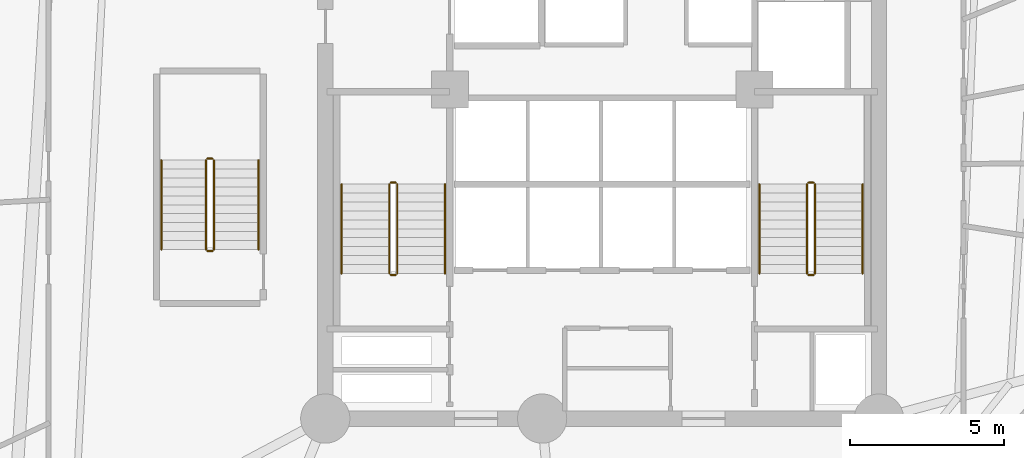
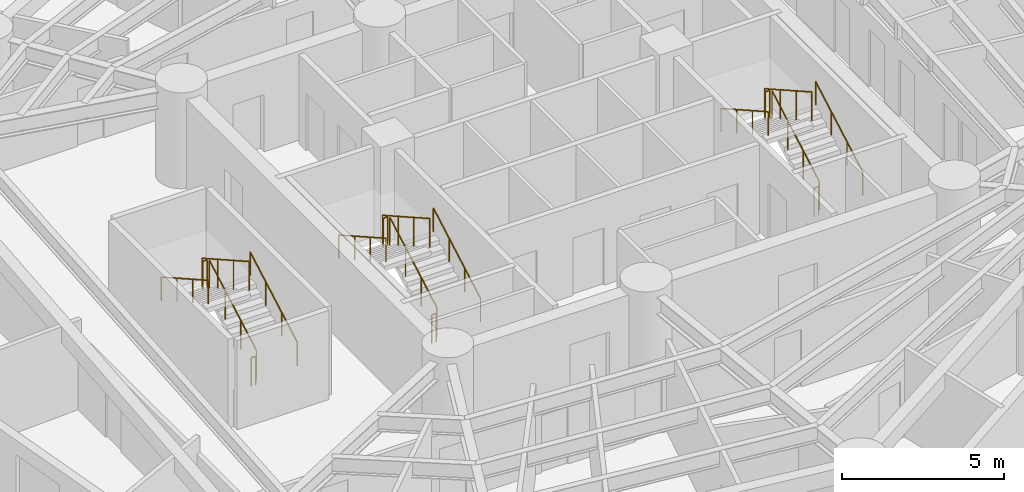
# One storey, part 8 of 8: 18 railings.
"""IFC4 building model written with IfcOpenShell, lengths in metres."""

import ifcopenshell
import ifcopenshell.guid

model = None  # the IFC model being written
_history = None  # IfcOwnerHistory: only IFC2X3 demands one
_inside = {}  # id of a spatial element -> (the spatial element, [elements in it])
_under = {}  # id of a project, library or spatial element -> (it, [spatial elements below it])
_declared = {}  # id of a project -> (the project, [libraries it declares])
_typed = {}  # id of a type object -> (the type object, [elements of that type])
_made_of = {}  # id of a material, layer set ... -> (it, [elements and type objects made of it])


def new_model(schema):
    """Start an empty IFC model of exactly this schema.

    Asked for "IFC4X3", IfcOpenShell would pick the latest addendum, in which some entities
    have other attributes; the version numbers below select the first issue.
    IFC2X3 requires an IfcOwnerHistory on every rooted entity: one is made here for all.
    """
    global model, _history
    if schema == "IFC4X3":
        model = ifcopenshell.file(schema_version=(4, 3, 0, 0))
    else:
        model = ifcopenshell.file(schema=schema)
    _inside.clear()
    _under.clear()
    _declared.clear()
    _typed.clear()
    _made_of.clear()
    _history = None
    if model.schema == "IFC2X3":
        org = make("IfcOrganization", Name="unknown")
        user = make(
            "IfcPersonAndOrganization",
            ThePerson=make("IfcPerson", FamilyName="unknown"),
            TheOrganization=org,
        )
        app = make(
            "IfcApplication",
            ApplicationDeveloper=org,
            Version="unknown",
            ApplicationFullName="unknown",
            ApplicationIdentifier="unknown",
        )
        _history = make(
            "IfcOwnerHistory",
            OwningUser=user,
            OwningApplication=app,
            ChangeAction="ADDED",
            CreationDate=0,
        )
    return model


def make(cls, **values):
    """One entity of the class cls with the attributes given. An attribute that is None is left unset."""
    return model.create_entity(
        cls, **{name: value for name, value in values.items() if value is not None}
    )


def rooted(cls, **values):
    """An entity with a GlobalId (a new one), such as an element, a storey or a relation."""
    return make(cls, GlobalId=ifcopenshell.guid.new(), OwnerHistory=_history, **values)


def si_unit(unit_type, name, prefix=None):
    """IfcSIUnit, for example si_unit("LENGTHUNIT", "METRE", prefix="MILLI")."""
    return make("IfcSIUnit", UnitType=unit_type, Prefix=prefix, Name=name)


def assignment(units):
    """IfcUnitAssignment: the units of a project."""
    return None if units is None else make("IfcUnitAssignment", Units=units)


def point(xyz):
    """IfcCartesianPoint."""
    return None if xyz is None else make("IfcCartesianPoint", Coordinates=xyz)


def direction(xyz):
    """IfcDirection."""
    return None if xyz is None else make("IfcDirection", DirectionRatios=xyz)


def frame(location, z_axis=None, x_axis=None):
    """IfcAxis2Placement3D, a coordinate frame: its origin and axes. An axis left out is left unset."""
    return make(
        "IfcAxis2Placement3D",
        Location=point(location),
        Axis=direction(z_axis),
        RefDirection=direction(x_axis),
    )


def frame_2d(location, x_axis=None):
    """IfcAxis2Placement2D, a coordinate frame in the plane: its origin and x axis."""
    return make(
        "IfcAxis2Placement2D", Location=point(location), RefDirection=direction(x_axis)
    )


def origin():
    """The frame at (0, 0, 0) with its axes left unset."""
    return frame((0.0, 0.0, 0.0))


def origin_2d():
    """The frame at (0, 0) in the plane with its x axis left unset."""
    return frame_2d((0.0, 0.0))


def place(relative_to, where):
    """IfcLocalPlacement: puts the frame where relative to a parent placement (None: the world)."""
    return make(
        "IfcLocalPlacement", PlacementRelTo=relative_to, RelativePlacement=where
    )


def context(
    kind, dimensions, precision=None, world=None, true_north=None, identifier=None
):
    """IfcGeometricRepresentationContext, for example the 3D "Model" context."""
    return make(
        "IfcGeometricRepresentationContext",
        ContextIdentifier=identifier,
        ContextType=kind,
        CoordinateSpaceDimension=dimensions,
        Precision=precision,
        WorldCoordinateSystem=world,
        TrueNorth=true_north,
    )


def subcontext(parent, identifier, kind, view, scale=None):
    """IfcGeometricRepresentationSubContext, for example "Body" below "Model"."""
    return make(
        "IfcGeometricRepresentationSubContext",
        ContextIdentifier=identifier,
        ContextType=kind,
        ParentContext=parent,
        TargetScale=scale,
        TargetView=view,
    )


def project(units=None, contexts=None):
    """IfcProject with its units and contexts."""
    return rooted(
        "IfcProject",
        Name="project",
        RepresentationContexts=contexts,
        UnitsInContext=assignment(units),
    )


def spatial(cls, under=None, at=None, **own):
    """A site, building, storey or space (cls), placed at a placement, below another one or the project."""
    s = rooted(cls, ObjectPlacement=at, **own)
    if under is not None:
        _under.setdefault(under.id(), (under, []))[1].append(s)
    return s


def profile(cls, at=None, kind="AREA", **sizes):
    """A parametric profile (cls). Its sizes go by their IFC names, for example OverallWidth=200.0."""
    return make(cls, ProfileType=kind, Position=at, **sizes)


def circle(**sizes):
    """IfcCircleProfileDef."""
    return profile("IfcCircleProfileDef", **sizes)


def extrude(swept, where, along, depth):
    """IfcExtrudedAreaSolid: the profile swept, set in the frame where, extruded along a direction by depth."""
    return make(
        "IfcExtrudedAreaSolid",
        SweptArea=swept,
        Position=where,
        ExtrudedDirection=direction(along),
        Depth=depth,
    )


def shape(context_of_items, identifier, shape_type, items):
    """IfcShapeRepresentation: the items that make up one representation, for example the "Body"."""
    return make(
        "IfcShapeRepresentation",
        ContextOfItems=context_of_items,
        RepresentationIdentifier=identifier,
        RepresentationType=shape_type,
        Items=items,
    )


def material(Name=None, Category=None):
    """IfcMaterial."""
    return make("IfcMaterial", Name=Name, Category=Category)


def layer(
    of_material, thickness, ventilated=None, Name=None, Category=None, Priority=None
):
    """IfcMaterialLayer: one layer of a wall or slab, of a material (None: an air gap)."""
    return make(
        "IfcMaterialLayer",
        Material=of_material,
        LayerThickness=thickness,
        IsVentilated=ventilated,
        Name=Name,
        Category=Category,
        Priority=Priority,
    )


def layer_set(layers, Name=None):
    """IfcMaterialLayerSet."""
    return make("IfcMaterialLayerSet", MaterialLayers=layers, LayerSetName=Name)


def made_of(thing, what):
    """Note that an element or type object is made of a material, layer set ...; save() writes the relation."""
    if what is not None:
        _made_of.setdefault(what.id(), (what, []))[1].append(thing)
    return thing


def type_object(cls, material=None, **own):
    """A type object (cls), such as IfcWallType, which elements share."""
    return made_of(rooted(cls, **own), material)


def element(
    cls,
    number,
    at=None,
    inside=None,
    cuts=None,
    type_object=None,
    material=None,
    context=None,
    identifier="Body",
    shape_type=None,
    held_by="IfcProductDefinitionShape",
    body=None,
    shapes=None,
    **own,
):
    """One element of the class cls, such as IfcWall. Its Tag is "e" and its number.

    at: its placement. inside: the storey or other place that contains it. cuts: it is an
    opening in that element (IfcRelVoidsElement). A single representation is given by context,
    identifier, shape_type and body (its items); several are given by shapes. held_by: the class
    of the entity that holds the representations. save() writes the other relations.
    """
    e = rooted(cls, Tag="e%d" % number, ObjectPlacement=at, **own)
    if body is not None:
        shapes = [shape(context, identifier, shape_type, body)]
    if shapes is not None:
        e.Representation = make(held_by, Representations=shapes)
    if inside is not None:
        _inside.setdefault(inside.id(), (inside, []))[1].append(e)
    if cuts is not None:
        rooted(
            "IfcRelVoidsElement", RelatingBuildingElement=cuts, RelatedOpeningElement=e
        )
    if type_object is not None:
        _typed.setdefault(type_object.id(), (type_object, []))[1].append(e)
    return made_of(e, material)


def aggregate(whole, parts):
    """IfcRelAggregates: a whole, such as a stair, and the parts it consists of."""
    return rooted("IfcRelAggregates", RelatingObject=whole, RelatedObjects=parts)


def save(model, path):
    """Write the relations noted so far, then the file.

    IfcRelAggregates (storeys below a building ...), IfcRelContainedInSpatialStructure (elements
    in a storey), IfcRelDefinesByType, IfcRelAssociatesMaterial and IfcRelDeclares: one each for
    every whole, place, type object, material and project.
    """
    for whole, parts in _under.values():
        aggregate(whole, parts)
    for where, things in _inside.values():
        rooted(
            "IfcRelContainedInSpatialStructure",
            RelatedElements=things,
            RelatingStructure=where,
        )
    for kind, things in _typed.values():
        rooted("IfcRelDefinesByType", RelatedObjects=things, RelatingType=kind)
    for what, things in _made_of.values():
        rooted("IfcRelAssociatesMaterial", RelatedObjects=things, RelatingMaterial=what)
    for by, libraries in _declared.values():
        rooted("IfcRelDeclares", RelatingContext=by, RelatedDefinitions=libraries)
    model.write(path)


model = new_model("IFC4")

# Units and contexts
model_context = context("Model", 3, precision=1e-05, world=origin(), true_north=direction((0.0, 1.0)))
body_context = subcontext(model_context, "Body", "Model", "MODEL_VIEW")
ifc_project = project(units=[si_unit("LENGTHUNIT", "METRE"), si_unit("AREAUNIT", "SQUARE_METRE"), si_unit("VOLUMEUNIT", "CUBIC_METRE"), si_unit("PLANEANGLEUNIT", "RADIAN"), si_unit("MASSUNIT", "GRAM", prefix="KILO")], contexts=[model_context])

# Site, building, storey
site_placement = place(None, origin())
site = spatial("IfcSite", under=ifc_project, at=site_placement, CompositionType="ELEMENT")
building_placement = place(site_placement, origin())
building = spatial("IfcBuilding", under=site, at=building_placement, Name="Karkom Vertical University and Central Library", CompositionType="ELEMENT")
storey_placement = place(building_placement, frame((0.0, 0.0, 73.300048828125)))
storey = spatial("IfcBuildingStorey", under=building, at=storey_placement, Name="L19", CompositionType="ELEMENT", Elevation=73.300048828125)

# Railings
ifc_material_1 = material(Name="Painted galvanised steel balustrade", Category="steel")
ifc_layer_1 = layer(ifc_material_1, 0.06005859375)
ifc_layer_set_1 = layer_set([ifc_layer_1], Name="Painted galvanised steel balustrade")
railing_type_1 = type_object("IfcRailingType", Name="INT-RL-GUARD1100", PredefinedType="GUARDRAIL", material=ifc_layer_set_1)
railing_1_placement = place(storey_placement, frame((21.840087890625, 23.02001953125, 0.16357421875)))
element("IfcRailing", 1, at=railing_1_placement, inside=storey, type_object=railing_type_1, Name="Level 19 ST-1 stair guard 1", PredefinedType="GUARDRAIL", context=body_context, shape_type="SweptSolid", body=[
    extrude(circle(Radius=0.02392578125, at=origin_2d()), frame((0.0, 0.0, 1.076171875), z_axis=(0.0, 0.870897200241, 0.491465224214), x_axis=(-1.0, 0.0, 0.0)), (0.0, 0.0, 1.0), 3.329833984375),
    extrude(circle(Radius=0.02099609375, at=origin_2d()), origin(), (0.0, 0.0, 1.0), 1.052001953125),
    extrude(circle(Radius=0.02099609375, at=origin_2d()), frame((0.0, 0.966552734375, 0.54541015625)), (0.0, 0.0, 1.0), 1.052001953125),
    extrude(circle(Radius=0.02099609375, at=origin_2d()), frame((0.0, 1.933349609375, 1.091064453125)), (0.0, 0.0, 1.0), 1.052001953125),
    extrude(circle(Radius=0.02099609375, at=origin_2d()), frame((0.0, 2.89990234375, 1.636474609375)), (0.0, 0.0, 1.0), 1.052001953125),
])
railing_2_placement = place(storey_placement, frame((21.7900390625, 25.969970703125, 1.800048828125)))
element("IfcRailing", 2, at=railing_2_placement, inside=storey, type_object=railing_type_1, Name="Level 19 ST-1 stair guard 2", PredefinedType="GUARDRAIL", context=body_context, shape_type="SweptSolid", body=[
    extrude(circle(Radius=0.02392578125, at=origin_2d()), frame((0.0, 0.0, 1.076171875), z_axis=(-1.0, 0.0, 0.0), x_axis=(0.0, -1.0, 0.0)), (0.0, 0.0, 1.0), 0.16015625),
    extrude(circle(Radius=0.02099609375, at=origin_2d()), origin(), (0.0, 0.0, 1.0), 1.052001953125),
    extrude(circle(Radius=0.02099609375, at=origin_2d()), frame((-0.16015625, 0.0, 0.0)), (0.0, 0.0, 1.0), 1.052001953125),
])
railing_3_placement = place(storey_placement, frame((21.580078125, 25.919921875, 1.963623046875)))
element("IfcRailing", 3, at=railing_3_placement, inside=storey, type_object=railing_type_1, Name="Level 19 ST-1 stair guard 3", PredefinedType="GUARDRAIL", context=body_context, shape_type="SweptSolid", body=[
    extrude(circle(Radius=0.02392578125, at=origin_2d()), frame((0.0, 0.0, 1.076171875), z_axis=(0.0, -0.870928581787, 0.491409610636), x_axis=(1.0, 0.0, 0.0)), (0.0, 0.0, 1.0), 3.32958984375),
    extrude(circle(Radius=0.02099609375, at=origin_2d()), origin(), (0.0, 0.0, 1.0), 1.052001953125),
    extrude(circle(Radius=0.02099609375, at=origin_2d()), frame((0.0, -0.966552734375, 0.54541015625)), (0.0, 0.0, 1.0), 1.052001953125),
    extrude(circle(Radius=0.02099609375, at=origin_2d()), frame((0.0, -1.933349609375, 1.0908203125)), (0.0, 0.0, 1.0), 1.052001953125),
    extrude(circle(Radius=0.02099609375, at=origin_2d()), frame((0.0, -2.89990234375, 1.63623046875)), (0.0, 0.0, 1.0), 1.052001953125),
])
railing_4_placement = place(storey_placement, frame((21.7900390625, 22.969970703125, 0.0)))
element("IfcRailing", 4, at=railing_4_placement, inside=storey, type_object=railing_type_1, Name="Level 19 ST-1 stair guard 4", PredefinedType="GUARDRAIL", context=body_context, shape_type="SweptSolid", body=[
    extrude(circle(Radius=0.02392578125, at=origin_2d()), frame((0.0, 0.0, 1.076171875), z_axis=(-1.0, 0.0, 0.0), x_axis=(0.0, -1.0, 0.0)), (0.0, 0.0, 1.0), 0.16015625),
    extrude(circle(Radius=0.02099609375, at=origin_2d()), origin(), (0.0, 0.0, 1.0), 1.052001953125),
    extrude(circle(Radius=0.02099609375, at=origin_2d()), frame((-0.16015625, 0.0, 0.0)), (0.0, 0.0, 1.0), 1.052001953125),
])
railing_5_placement = place(storey_placement, frame((35.419921875, 23.02001953125, 0.16357421875)))
element("IfcRailing", 5, at=railing_5_placement, inside=storey, type_object=railing_type_1, Name="Level 19 ST-2 stair guard 1", PredefinedType="GUARDRAIL", context=body_context, shape_type="SweptSolid", body=[
    extrude(circle(Radius=0.02392578125, at=origin_2d()), frame((0.0, 0.0, 1.076171875), z_axis=(0.0, 0.870897200241, 0.491465224214), x_axis=(-1.0, 0.0, 0.0)), (0.0, 0.0, 1.0), 3.329833984375),
    extrude(circle(Radius=0.02099609375, at=origin_2d()), origin(), (0.0, 0.0, 1.0), 1.052001953125),
    extrude(circle(Radius=0.02099609375, at=origin_2d()), frame((0.0, 0.966552734375, 0.54541015625)), (0.0, 0.0, 1.0), 1.052001953125),
    extrude(circle(Radius=0.02099609375, at=origin_2d()), frame((0.0, 1.933349609375, 1.091064453125)), (0.0, 0.0, 1.0), 1.052001953125),
    extrude(circle(Radius=0.02099609375, at=origin_2d()), frame((0.0, 2.89990234375, 1.636474609375)), (0.0, 0.0, 1.0), 1.052001953125),
])
railing_6_placement = place(storey_placement, frame((35.3701171875, 25.969970703125, 1.800048828125)))
element("IfcRailing", 6, at=railing_6_placement, inside=storey, type_object=railing_type_1, Name="Level 19 ST-2 stair guard 2", PredefinedType="GUARDRAIL", context=body_context, shape_type="SweptSolid", body=[
    extrude(circle(Radius=0.02392578125, at=origin_2d()), frame((0.0, 0.0, 1.076171875), z_axis=(-1.0, 0.0, 0.0), x_axis=(0.0, -1.0, 0.0)), (0.0, 0.0, 1.0), 0.16015625),
    extrude(circle(Radius=0.02099609375, at=origin_2d()), origin(), (0.0, 0.0, 1.0), 1.052001953125),
    extrude(circle(Radius=0.02099609375, at=origin_2d()), frame((-0.16015625, 0.0, 0.0)), (0.0, 0.0, 1.0), 1.052001953125),
])
railing_7_placement = place(storey_placement, frame((35.159912109375, 25.919921875, 1.963623046875)))
element("IfcRailing", 7, at=railing_7_placement, inside=storey, type_object=railing_type_1, Name="Level 19 ST-2 stair guard 3", PredefinedType="GUARDRAIL", context=body_context, shape_type="SweptSolid", body=[
    extrude(circle(Radius=0.02392578125, at=origin_2d()), frame((0.0, 0.0, 1.076171875), z_axis=(0.0, -0.870928581787, 0.491409610636), x_axis=(1.0, 0.0, 0.0)), (0.0, 0.0, 1.0), 3.32958984375),
    extrude(circle(Radius=0.02099609375, at=origin_2d()), origin(), (0.0, 0.0, 1.0), 1.052001953125),
    extrude(circle(Radius=0.02099609375, at=origin_2d()), frame((0.0, -0.966552734375, 0.54541015625)), (0.0, 0.0, 1.0), 1.052001953125),
    extrude(circle(Radius=0.02099609375, at=origin_2d()), frame((0.0, -1.933349609375, 1.0908203125)), (0.0, 0.0, 1.0), 1.052001953125),
    extrude(circle(Radius=0.02099609375, at=origin_2d()), frame((0.0, -2.89990234375, 1.63623046875)), (0.0, 0.0, 1.0), 1.052001953125),
])
railing_8_placement = place(storey_placement, frame((35.3701171875, 22.969970703125, 0.0)))
element("IfcRailing", 8, at=railing_8_placement, inside=storey, type_object=railing_type_1, Name="Level 19 ST-2 stair guard 4", PredefinedType="GUARDRAIL", context=body_context, shape_type="SweptSolid", body=[
    extrude(circle(Radius=0.02392578125, at=origin_2d()), frame((0.0, 0.0, 1.076171875), z_axis=(-1.0, 0.0, 0.0), x_axis=(0.0, -1.0, 0.0)), (0.0, 0.0, 1.0), 0.16015625),
    extrude(circle(Radius=0.02099609375, at=origin_2d()), origin(), (0.0, 0.0, 1.0), 1.052001953125),
    extrude(circle(Radius=0.02099609375, at=origin_2d()), frame((-0.16015625, 0.0, 0.0)), (0.0, 0.0, 1.0), 1.052001953125),
])
railing_9_placement = place(storey_placement, frame((15.8798828125, 23.800048828125, 0.16357421875)))
element("IfcRailing", 9, at=railing_9_placement, inside=storey, type_object=railing_type_1, Name="Level 19 ST-3 stair guard 1", PredefinedType="GUARDRAIL", context=body_context, shape_type="SweptSolid", body=[
    extrude(circle(Radius=0.02392578125, at=origin_2d()), frame((0.0, 0.0, 1.076171875), z_axis=(0.0, 0.870897200241, 0.491465224214), x_axis=(-1.0, 0.0, 0.0)), (0.0, 0.0, 1.0), 3.329833984375),
    extrude(circle(Radius=0.02099609375, at=origin_2d()), origin(), (0.0, 0.0, 1.0), 1.052001953125),
    extrude(circle(Radius=0.02099609375, at=origin_2d()), frame((0.0, 0.966552734375, 0.54541015625)), (0.0, 0.0, 1.0), 1.052001953125),
    extrude(circle(Radius=0.02099609375, at=origin_2d()), frame((0.0, 1.933349609375, 1.091064453125)), (0.0, 0.0, 1.0), 1.052001953125),
    extrude(circle(Radius=0.02099609375, at=origin_2d()), frame((0.0, 2.89990234375, 1.636474609375)), (0.0, 0.0, 1.0), 1.052001953125),
])
railing_10_placement = place(storey_placement, frame((15.830078125, 26.75, 1.800048828125)))
element("IfcRailing", 10, at=railing_10_placement, inside=storey, type_object=railing_type_1, Name="Level 19 ST-3 stair guard 2", PredefinedType="GUARDRAIL", context=body_context, shape_type="SweptSolid", body=[
    extrude(circle(Radius=0.02392578125, at=origin_2d()), frame((0.0, 0.0, 1.076171875), z_axis=(-1.0, 0.0, 0.0), x_axis=(0.0, -1.0, 0.0)), (0.0, 0.0, 1.0), 0.16015625),
    extrude(circle(Radius=0.02099609375, at=origin_2d()), origin(), (0.0, 0.0, 1.0), 1.052001953125),
    extrude(circle(Radius=0.02099609375, at=origin_2d()), frame((-0.16015625, 0.0, 0.0)), (0.0, 0.0, 1.0), 1.052001953125),
])
railing_11_placement = place(storey_placement, frame((15.6201171875, 26.699951171875, 1.963623046875)))
element("IfcRailing", 11, at=railing_11_placement, inside=storey, type_object=railing_type_1, Name="Level 19 ST-3 stair guard 3", PredefinedType="GUARDRAIL", context=body_context, shape_type="SweptSolid", body=[
    extrude(circle(Radius=0.02392578125, at=origin_2d()), frame((0.0, 0.0, 1.076171875), z_axis=(0.0, -0.870928581787, 0.491409610636), x_axis=(1.0, 0.0, 0.0)), (0.0, 0.0, 1.0), 3.32958984375),
    extrude(circle(Radius=0.02099609375, at=origin_2d()), origin(), (0.0, 0.0, 1.0), 1.052001953125),
    extrude(circle(Radius=0.02099609375, at=origin_2d()), frame((0.0, -0.966552734375, 0.54541015625)), (0.0, 0.0, 1.0), 1.052001953125),
    extrude(circle(Radius=0.02099609375, at=origin_2d()), frame((0.0, -1.933349609375, 1.0908203125)), (0.0, 0.0, 1.0), 1.052001953125),
    extrude(circle(Radius=0.02099609375, at=origin_2d()), frame((0.0, -2.89990234375, 1.63623046875)), (0.0, 0.0, 1.0), 1.052001953125),
])
railing_12_placement = place(storey_placement, frame((15.830078125, 23.75, 0.0)))
element("IfcRailing", 12, at=railing_12_placement, inside=storey, type_object=railing_type_1, Name="Level 19 ST-3 stair guard 4", PredefinedType="GUARDRAIL", context=body_context, shape_type="SweptSolid", body=[
    extrude(circle(Radius=0.02392578125, at=origin_2d()), frame((0.0, 0.0, 1.076171875), z_axis=(-1.0, 0.0, 0.0), x_axis=(0.0, -1.0, 0.0)), (0.0, 0.0, 1.0), 0.16015625),
    extrude(circle(Radius=0.02099609375, at=origin_2d()), origin(), (0.0, 0.0, 1.0), 1.052001953125),
    extrude(circle(Radius=0.02099609375, at=origin_2d()), frame((-0.16015625, 0.0, 0.0)), (0.0, 0.0, 1.0), 1.052001953125),
])
ifc_material_2 = material(Name="Brushed stainless-steel tubular handrail", Category="steel")
ifc_layer_2 = layer(ifc_material_2, 0.048095703125)
ifc_layer_set_2 = layer_set([ifc_layer_2], Name="Brushed stainless-steel tubular handrail")
railing_type_2 = type_object("IfcRailingType", Name="INT-RL-HAND920", PredefinedType="HANDRAIL", material=ifc_layer_set_2)
railing_13_placement = place(storey_placement, frame((23.389892578125, 23.02001953125, 0.16357421875)))
element("IfcRailing", 13, at=railing_13_placement, inside=storey, type_object=railing_type_2, Name="Level 19 ST-1 stair handrail 1", PredefinedType="HANDRAIL", context=body_context, shape_type="SweptSolid", body=[
    extrude(circle(Radius=0.02392578125, at=origin_2d()), frame((0.0, 0.0, 0.8759765625), z_axis=(0.0, 0.870897200241, 0.491465224214), x_axis=(-1.0, 0.0, 0.0)), (0.0, 0.0, 1.0), 3.329833984375),
    extrude(circle(Radius=0.02099609375, at=origin_2d()), origin(), (0.0, 0.0, 1.0), 0.851806640625),
    extrude(circle(Radius=0.02099609375, at=origin_2d()), frame((0.0, 0.966552734375, 0.54541015625)), (0.0, 0.0, 1.0), 0.851806640625),
    extrude(circle(Radius=0.02099609375, at=origin_2d()), frame((0.0, 1.933349609375, 1.091064453125)), (0.0, 0.0, 1.0), 0.851806640625),
    extrude(circle(Radius=0.02099609375, at=origin_2d()), frame((0.0, 2.89990234375, 1.636474609375)), (0.0, 0.0, 1.0), 0.851806640625),
])
railing_14_placement = place(storey_placement, frame((20.030029296875, 25.919921875, 1.963623046875)))
element("IfcRailing", 14, at=railing_14_placement, inside=storey, type_object=railing_type_2, Name="Level 19 ST-1 stair handrail 2", PredefinedType="HANDRAIL", context=body_context, shape_type="SweptSolid", body=[
    extrude(circle(Radius=0.02392578125, at=origin_2d()), frame((0.0, 0.0, 0.8759765625), z_axis=(0.0, -0.870928581787, 0.491409610636), x_axis=(1.0, 0.0, 0.0)), (0.0, 0.0, 1.0), 3.32958984375),
    extrude(circle(Radius=0.02099609375, at=origin_2d()), origin(), (0.0, 0.0, 1.0), 0.851806640625),
    extrude(circle(Radius=0.02099609375, at=origin_2d()), frame((0.0, -0.966552734375, 0.54541015625)), (0.0, 0.0, 1.0), 0.851806640625),
    extrude(circle(Radius=0.02099609375, at=origin_2d()), frame((0.0, -1.933349609375, 1.0908203125)), (0.0, 0.0, 1.0), 0.851806640625),
    extrude(circle(Radius=0.02099609375, at=origin_2d()), frame((0.0, -2.89990234375, 1.63623046875)), (0.0, 0.0, 1.0), 0.851806640625),
])
railing_15_placement = place(storey_placement, frame((36.969970703125, 23.02001953125, 0.16357421875)))
element("IfcRailing", 15, at=railing_15_placement, inside=storey, type_object=railing_type_2, Name="Level 19 ST-2 stair handrail 1", PredefinedType="HANDRAIL", context=body_context, shape_type="SweptSolid", body=[
    extrude(circle(Radius=0.02392578125, at=origin_2d()), frame((0.0, 0.0, 0.8759765625), z_axis=(0.0, 0.870897200241, 0.491465224214), x_axis=(-1.0, 0.0, 0.0)), (0.0, 0.0, 1.0), 3.329833984375),
    extrude(circle(Radius=0.02099609375, at=origin_2d()), origin(), (0.0, 0.0, 1.0), 0.851806640625),
    extrude(circle(Radius=0.02099609375, at=origin_2d()), frame((0.0, 0.966552734375, 0.54541015625)), (0.0, 0.0, 1.0), 0.851806640625),
    extrude(circle(Radius=0.02099609375, at=origin_2d()), frame((0.0, 1.933349609375, 1.091064453125)), (0.0, 0.0, 1.0), 0.851806640625),
    extrude(circle(Radius=0.02099609375, at=origin_2d()), frame((0.0, 2.89990234375, 1.636474609375)), (0.0, 0.0, 1.0), 0.851806640625),
])
railing_16_placement = place(storey_placement, frame((33.610107421875, 25.919921875, 1.963623046875)))
element("IfcRailing", 16, at=railing_16_placement, inside=storey, type_object=railing_type_2, Name="Level 19 ST-2 stair handrail 2", PredefinedType="HANDRAIL", context=body_context, shape_type="SweptSolid", body=[
    extrude(circle(Radius=0.02392578125, at=origin_2d()), frame((0.0, 0.0, 0.8759765625), z_axis=(0.0, -0.870928581787, 0.491409610636), x_axis=(1.0, 0.0, 0.0)), (0.0, 0.0, 1.0), 3.32958984375),
    extrude(circle(Radius=0.02099609375, at=origin_2d()), origin(), (0.0, 0.0, 1.0), 0.851806640625),
    extrude(circle(Radius=0.02099609375, at=origin_2d()), frame((0.0, -0.966552734375, 0.54541015625)), (0.0, 0.0, 1.0), 0.851806640625),
    extrude(circle(Radius=0.02099609375, at=origin_2d()), frame((0.0, -1.933349609375, 1.0908203125)), (0.0, 0.0, 1.0), 0.851806640625),
    extrude(circle(Radius=0.02099609375, at=origin_2d()), frame((0.0, -2.89990234375, 1.63623046875)), (0.0, 0.0, 1.0), 0.851806640625),
])
railing_17_placement = place(storey_placement, frame((17.330078125, 23.800048828125, 0.16357421875)))
element("IfcRailing", 17, at=railing_17_placement, inside=storey, type_object=railing_type_2, Name="Level 19 ST-3 stair handrail 1", PredefinedType="HANDRAIL", context=body_context, shape_type="SweptSolid", body=[
    extrude(circle(Radius=0.02392578125, at=origin_2d()), frame((0.0, 0.0, 0.8759765625), z_axis=(0.0, 0.870897200241, 0.491465224214), x_axis=(-1.0, 0.0, 0.0)), (0.0, 0.0, 1.0), 3.329833984375),
    extrude(circle(Radius=0.02099609375, at=origin_2d()), origin(), (0.0, 0.0, 1.0), 0.851806640625),
    extrude(circle(Radius=0.02099609375, at=origin_2d()), frame((0.0, 0.966552734375, 0.54541015625)), (0.0, 0.0, 1.0), 0.851806640625),
    extrude(circle(Radius=0.02099609375, at=origin_2d()), frame((0.0, 1.933349609375, 1.091064453125)), (0.0, 0.0, 1.0), 0.851806640625),
    extrude(circle(Radius=0.02099609375, at=origin_2d()), frame((0.0, 2.89990234375, 1.636474609375)), (0.0, 0.0, 1.0), 0.851806640625),
])
railing_18_placement = place(storey_placement, frame((14.169921875, 26.699951171875, 1.963623046875)))
element("IfcRailing", 18, at=railing_18_placement, inside=storey, type_object=railing_type_2, Name="Level 19 ST-3 stair handrail 2", PredefinedType="HANDRAIL", context=body_context, shape_type="SweptSolid", body=[
    extrude(circle(Radius=0.02392578125, at=origin_2d()), frame((0.0, 0.0, 0.8759765625), z_axis=(0.0, -0.870928581787, 0.491409610636), x_axis=(1.0, 0.0, 0.0)), (0.0, 0.0, 1.0), 3.32958984375),
    extrude(circle(Radius=0.02099609375, at=origin_2d()), origin(), (0.0, 0.0, 1.0), 0.851806640625),
    extrude(circle(Radius=0.02099609375, at=origin_2d()), frame((0.0, -0.966552734375, 0.54541015625)), (0.0, 0.0, 1.0), 0.851806640625),
    extrude(circle(Radius=0.02099609375, at=origin_2d()), frame((0.0, -1.933349609375, 1.0908203125)), (0.0, 0.0, 1.0), 0.851806640625),
    extrude(circle(Radius=0.02099609375, at=origin_2d()), frame((0.0, -2.89990234375, 1.63623046875)), (0.0, 0.0, 1.0), 0.851806640625),
])

save(model, "model.ifc")
